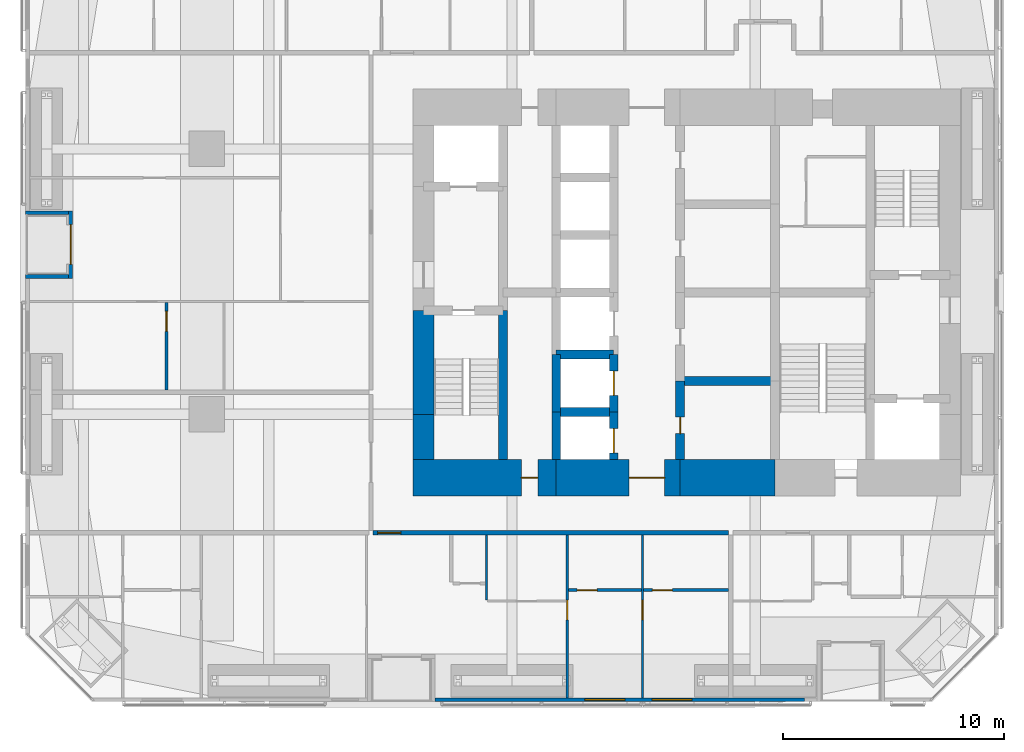
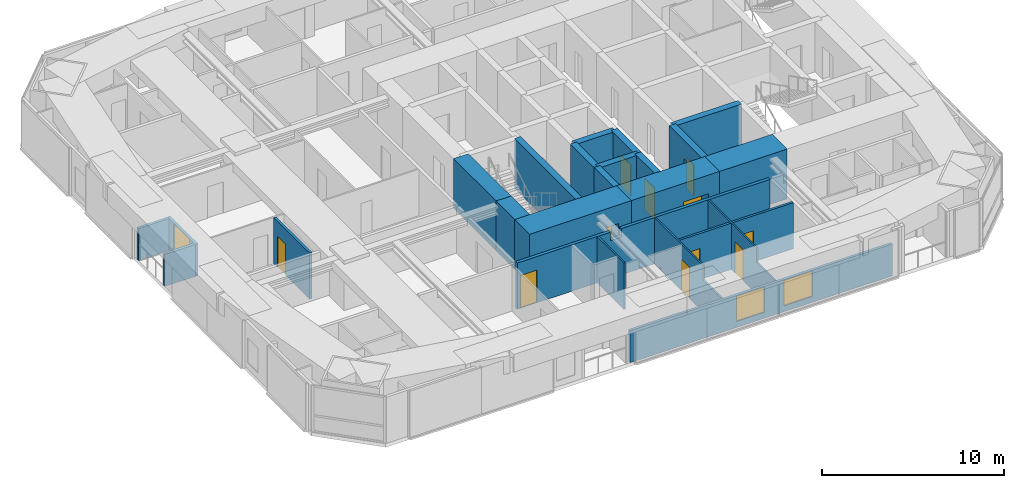
# One storey, part 16 of 22: 25 walls, 12 doors, 2 windows, 14 openings.
"""IFC4 building model written with IfcOpenShell, lengths in metres."""

import ifcopenshell
import ifcopenshell.guid

model = None  # the IFC model being written
_history = None  # IfcOwnerHistory: only IFC2X3 demands one
_inside = {}  # id of a spatial element -> (the spatial element, [elements in it])
_under = {}  # id of a project, library or spatial element -> (it, [spatial elements below it])
_declared = {}  # id of a project -> (the project, [libraries it declares])
_typed = {}  # id of a type object -> (the type object, [elements of that type])
_made_of = {}  # id of a material, layer set ... -> (it, [elements and type objects made of it])


def new_model(schema):
    """Start an empty IFC model of exactly this schema.

    Asked for "IFC4X3", IfcOpenShell would pick the latest addendum, in which some entities
    have other attributes; the version numbers below select the first issue.
    IFC2X3 requires an IfcOwnerHistory on every rooted entity: one is made here for all.
    """
    global model, _history
    if schema == "IFC4X3":
        model = ifcopenshell.file(schema_version=(4, 3, 0, 0))
    else:
        model = ifcopenshell.file(schema=schema)
    _inside.clear()
    _under.clear()
    _declared.clear()
    _typed.clear()
    _made_of.clear()
    _history = None
    if model.schema == "IFC2X3":
        org = make("IfcOrganization", Name="unknown")
        user = make(
            "IfcPersonAndOrganization",
            ThePerson=make("IfcPerson", FamilyName="unknown"),
            TheOrganization=org,
        )
        app = make(
            "IfcApplication",
            ApplicationDeveloper=org,
            Version="unknown",
            ApplicationFullName="unknown",
            ApplicationIdentifier="unknown",
        )
        _history = make(
            "IfcOwnerHistory",
            OwningUser=user,
            OwningApplication=app,
            ChangeAction="ADDED",
            CreationDate=0,
        )
    return model


def make(cls, **values):
    """One entity of the class cls with the attributes given. An attribute that is None is left unset."""
    return model.create_entity(
        cls, **{name: value for name, value in values.items() if value is not None}
    )


def rooted(cls, **values):
    """An entity with a GlobalId (a new one), such as an element, a storey or a relation."""
    return make(cls, GlobalId=ifcopenshell.guid.new(), OwnerHistory=_history, **values)


def si_unit(unit_type, name, prefix=None):
    """IfcSIUnit, for example si_unit("LENGTHUNIT", "METRE", prefix="MILLI")."""
    return make("IfcSIUnit", UnitType=unit_type, Prefix=prefix, Name=name)


def assignment(units):
    """IfcUnitAssignment: the units of a project."""
    return None if units is None else make("IfcUnitAssignment", Units=units)


def point(xyz):
    """IfcCartesianPoint."""
    return None if xyz is None else make("IfcCartesianPoint", Coordinates=xyz)


def direction(xyz):
    """IfcDirection."""
    return None if xyz is None else make("IfcDirection", DirectionRatios=xyz)


def frame(location, z_axis=None, x_axis=None):
    """IfcAxis2Placement3D, a coordinate frame: its origin and axes. An axis left out is left unset."""
    return make(
        "IfcAxis2Placement3D",
        Location=point(location),
        Axis=direction(z_axis),
        RefDirection=direction(x_axis),
    )


def frame_2d(location, x_axis=None):
    """IfcAxis2Placement2D, a coordinate frame in the plane: its origin and x axis."""
    return make(
        "IfcAxis2Placement2D", Location=point(location), RefDirection=direction(x_axis)
    )


def origin():
    """The frame at (0, 0, 0) with its axes left unset."""
    return frame((0.0, 0.0, 0.0))


def place(relative_to, where):
    """IfcLocalPlacement: puts the frame where relative to a parent placement (None: the world)."""
    return make(
        "IfcLocalPlacement", PlacementRelTo=relative_to, RelativePlacement=where
    )


def context(
    kind, dimensions, precision=None, world=None, true_north=None, identifier=None
):
    """IfcGeometricRepresentationContext, for example the 3D "Model" context."""
    return make(
        "IfcGeometricRepresentationContext",
        ContextIdentifier=identifier,
        ContextType=kind,
        CoordinateSpaceDimension=dimensions,
        Precision=precision,
        WorldCoordinateSystem=world,
        TrueNorth=true_north,
    )


def subcontext(parent, identifier, kind, view, scale=None):
    """IfcGeometricRepresentationSubContext, for example "Body" below "Model"."""
    return make(
        "IfcGeometricRepresentationSubContext",
        ContextIdentifier=identifier,
        ContextType=kind,
        ParentContext=parent,
        TargetScale=scale,
        TargetView=view,
    )


def project(units=None, contexts=None):
    """IfcProject with its units and contexts."""
    return rooted(
        "IfcProject",
        Name="project",
        RepresentationContexts=contexts,
        UnitsInContext=assignment(units),
    )


def spatial(cls, under=None, at=None, **own):
    """A site, building, storey or space (cls), placed at a placement, below another one or the project."""
    s = rooted(cls, ObjectPlacement=at, **own)
    if under is not None:
        _under.setdefault(under.id(), (under, []))[1].append(s)
    return s


def polyline(points):
    """IfcPolyline through the points."""
    return make("IfcPolyline", Points=[point(p) for p in points])


def profile(cls, at=None, kind="AREA", **sizes):
    """A parametric profile (cls). Its sizes go by their IFC names, for example OverallWidth=200.0."""
    return make(cls, ProfileType=kind, Position=at, **sizes)


def rectangle(**sizes):
    """IfcRectangleProfileDef."""
    return profile("IfcRectangleProfileDef", **sizes)


def outline(outer, holes=None, kind="AREA"):
    """IfcArbitraryClosedProfileDef: a profile drawn as a closed curve; with holes, ...WithVoids."""
    if holes is None:
        return make("IfcArbitraryClosedProfileDef", ProfileType=kind, OuterCurve=outer)
    return make(
        "IfcArbitraryProfileDefWithVoids",
        ProfileType=kind,
        OuterCurve=outer,
        InnerCurves=holes,
    )


def extrude(swept, where, along, depth):
    """IfcExtrudedAreaSolid: the profile swept, set in the frame where, extruded along a direction by depth."""
    return make(
        "IfcExtrudedAreaSolid",
        SweptArea=swept,
        Position=where,
        ExtrudedDirection=direction(along),
        Depth=depth,
    )


def shape(context_of_items, identifier, shape_type, items):
    """IfcShapeRepresentation: the items that make up one representation, for example the "Body"."""
    return make(
        "IfcShapeRepresentation",
        ContextOfItems=context_of_items,
        RepresentationIdentifier=identifier,
        RepresentationType=shape_type,
        Items=items,
    )


def material(Name=None, Category=None):
    """IfcMaterial."""
    return make("IfcMaterial", Name=Name, Category=Category)


def layer(
    of_material, thickness, ventilated=None, Name=None, Category=None, Priority=None
):
    """IfcMaterialLayer: one layer of a wall or slab, of a material (None: an air gap)."""
    return make(
        "IfcMaterialLayer",
        Material=of_material,
        LayerThickness=thickness,
        IsVentilated=ventilated,
        Name=Name,
        Category=Category,
        Priority=Priority,
    )


def layer_set(layers, Name=None):
    """IfcMaterialLayerSet."""
    return make("IfcMaterialLayerSet", MaterialLayers=layers, LayerSetName=Name)


def constituent(of_material, Name=None, Category=None, fraction=None):
    """IfcMaterialConstituent: one of the materials an element consists of."""
    return make(
        "IfcMaterialConstituent",
        Name=Name,
        Material=of_material,
        Fraction=fraction,
        Category=Category,
    )


def constituent_set(constituents=None, Name=None):
    """IfcMaterialConstituentSet."""
    return make(
        "IfcMaterialConstituentSet", Name=Name, MaterialConstituents=constituents
    )


def made_of(thing, what):
    """Note that an element or type object is made of a material, layer set ...; save() writes the relation."""
    if what is not None:
        _made_of.setdefault(what.id(), (what, []))[1].append(thing)
    return thing


def type_object(cls, material=None, **own):
    """A type object (cls), such as IfcWallType, which elements share."""
    return made_of(rooted(cls, **own), material)


def element(
    cls,
    number,
    at=None,
    inside=None,
    cuts=None,
    type_object=None,
    material=None,
    context=None,
    identifier="Body",
    shape_type=None,
    held_by="IfcProductDefinitionShape",
    body=None,
    shapes=None,
    **own,
):
    """One element of the class cls, such as IfcWall. Its Tag is "e" and its number.

    at: its placement. inside: the storey or other place that contains it. cuts: it is an
    opening in that element (IfcRelVoidsElement). A single representation is given by context,
    identifier, shape_type and body (its items); several are given by shapes. held_by: the class
    of the entity that holds the representations. save() writes the other relations.
    """
    e = rooted(cls, Tag="e%d" % number, ObjectPlacement=at, **own)
    if body is not None:
        shapes = [shape(context, identifier, shape_type, body)]
    if shapes is not None:
        e.Representation = make(held_by, Representations=shapes)
    if inside is not None:
        _inside.setdefault(inside.id(), (inside, []))[1].append(e)
    if cuts is not None:
        rooted(
            "IfcRelVoidsElement", RelatingBuildingElement=cuts, RelatedOpeningElement=e
        )
    if type_object is not None:
        _typed.setdefault(type_object.id(), (type_object, []))[1].append(e)
    return made_of(e, material)


def fill(opening, filler):
    """IfcRelFillsElement: the door or window that sits in an opening."""
    return rooted(
        "IfcRelFillsElement",
        RelatingOpeningElement=opening,
        RelatedBuildingElement=filler,
    )


def aggregate(whole, parts):
    """IfcRelAggregates: a whole, such as a stair, and the parts it consists of."""
    return rooted("IfcRelAggregates", RelatingObject=whole, RelatedObjects=parts)


def save(model, path):
    """Write the relations noted so far, then the file.

    IfcRelAggregates (storeys below a building ...), IfcRelContainedInSpatialStructure (elements
    in a storey), IfcRelDefinesByType, IfcRelAssociatesMaterial and IfcRelDeclares: one each for
    every whole, place, type object, material and project.
    """
    for whole, parts in _under.values():
        aggregate(whole, parts)
    for where, things in _inside.values():
        rooted(
            "IfcRelContainedInSpatialStructure",
            RelatedElements=things,
            RelatingStructure=where,
        )
    for kind, things in _typed.values():
        rooted("IfcRelDefinesByType", RelatedObjects=things, RelatingType=kind)
    for what, things in _made_of.values():
        rooted("IfcRelAssociatesMaterial", RelatedObjects=things, RelatingMaterial=what)
    for by, libraries in _declared.values():
        rooted("IfcRelDeclares", RelatingContext=by, RelatedDefinitions=libraries)
    model.write(path)


model = new_model("IFC4")

# Units and contexts
model_context = context("Model", 3, precision=1e-05, world=origin(), true_north=direction((0.0, 1.0)))
body_context = subcontext(model_context, "Body", "Model", "MODEL_VIEW")
ifc_project = project(units=[si_unit("LENGTHUNIT", "METRE"), si_unit("AREAUNIT", "SQUARE_METRE"), si_unit("VOLUMEUNIT", "CUBIC_METRE"), si_unit("PLANEANGLEUNIT", "RADIAN"), si_unit("MASSUNIT", "GRAM", prefix="KILO")], contexts=[model_context])

# Site, building, storey
site_placement = place(None, origin())
site = spatial("IfcSite", under=ifc_project, at=site_placement, CompositionType="ELEMENT")
building_placement = place(site_placement, origin())
building = spatial("IfcBuilding", under=site, at=building_placement, Name="Jalousie Tower", CompositionType="ELEMENT")
storey_placement = place(building_placement, frame((0.0, 0.0, 67.89990234375)))
storey = spatial("IfcBuildingStorey", under=building, at=storey_placement, Name="L18", CompositionType="ELEMENT", Elevation=67.89990234375)

# Wall, opening, door
ifc_material_1 = material(Name="Concrete block ASTM C90", Category="concrete")
ifc_constituent_1 = constituent(ifc_material_1, Name="Body")
ifc_material_2 = material(Name="Render")
ifc_constituent_2 = constituent(ifc_material_2, Name="Finish")
ifc_constituent_set_1 = constituent_set(constituents=[ifc_constituent_1, ifc_constituent_2])
wall_type_1 = type_object("IfcWallType", Name="BATHROOM WALL 150", PredefinedType="PLUMBINGWALL", material=ifc_constituent_set_1)
wall_1_placement = place(storey_placement, frame((26.550048828125, 5.050048828125, 0.0), z_axis=(0.0, 0.0, 1.0), x_axis=(1.0, 0.0, 0.0)))
wall_1 = element("IfcWall", 1, at=wall_1_placement, inside=storey, type_object=wall_type_1, Name="Bathroom Wall 150 L18", PredefinedType="PLUMBINGWALL", context=body_context, shape_type="SweptSolid", body=[
    extrude(rectangle(XDim=3.300048828125, YDim=0.14990234375, at=frame_2d((1.64990234375, 0.0))), origin(), (0.0, 0.0, 1.0), 3.110107421875),
])
opening_1_placement = place(wall_1_placement, frame((0.39990234375, 0.0, 0.0)))
opening_1 = element("IfcOpeningElement", 2, at=opening_1_placement, cuts=wall_1, Name="Opening D3", PredefinedType="OPENING", context=body_context, shape_type="SweptSolid", body=[
    extrude(rectangle(XDim=0.89990234375, YDim=2.10009765625, at=frame_2d((0.449951171875, 1.050048828125))), frame((0.0, 0.0849609375, 0.0), z_axis=(0.0, -1.0, 0.0), x_axis=(1.0, 0.0, 0.0)), (0.0, 0.0, 1.0), 0.169921875),
])
ifc_material_3 = material(Name="Timber door", Category="wood")
door_type_1 = type_object("IfcDoorType", Name="BATHROOM DOOR 900", OperationType="SINGLE_SWING_LEFT", PredefinedType="DOOR", material=ifc_material_3)
door_1_placement = place(opening_1_placement, origin())
door_1 = element("IfcDoor", 3, at=door_1_placement, inside=storey, type_object=door_type_1, Name="Apartment 1801 bedroom 3 bathroom door", OperationType="SINGLE_SWING_LEFT", OverallHeight=2.10009765625, OverallWidth=0.89990234375, PredefinedType="DOOR", context=body_context, shape_type="SweptSolid", body=[
    extrude(rectangle(XDim=0.89990234375, YDim=2.10009765625, at=frame_2d((0.449951171875, 1.050048828125))), frame((0.0, 0.02490234375, 0.0), z_axis=(0.0, -1.0, 0.0), x_axis=(1.0, 0.0, 0.0)), (0.0, 0.0, 1.0), 0.050048828125),
])
fill(opening_1, door_1)

wall_2_placement = place(storey_placement, frame((29.949951171875, 5.050048828125, 0.0), z_axis=(0.0, 0.0, 1.0), x_axis=(1.0, 0.0, 0.0)))
wall_2 = element("IfcWall", 4, at=wall_2_placement, inside=storey, type_object=wall_type_1, Name="Bathroom Wall 150 L18", PredefinedType="PLUMBINGWALL", context=body_context, shape_type="SweptSolid", body=[
    extrude(rectangle(XDim=3.85009765625, YDim=0.14990234375, at=frame_2d((1.925048828125, 0.0))), origin(), (0.0, 0.0, 1.0), 3.110107421875),
])
opening_2_placement = place(wall_2_placement, frame((0.39990234375, 0.0, 0.0)))
opening_2 = element("IfcOpeningElement", 5, at=opening_2_placement, cuts=wall_2, Name="Opening D3", PredefinedType="OPENING", context=body_context, shape_type="SweptSolid", body=[
    extrude(rectangle(XDim=0.89990234375, YDim=2.10009765625, at=frame_2d((0.449951171875, 1.050048828125))), frame((0.0, 0.0849609375, 0.0), z_axis=(0.0, -1.0, 0.0), x_axis=(1.0, 0.0, 0.0)), (0.0, 0.0, 1.0), 0.169921875),
])
door_2_placement = place(opening_2_placement, origin())
door_2 = element("IfcDoor", 6, at=door_2_placement, inside=storey, type_object=door_type_1, Name="Apartment 1801 bedroom 4 bathroom door", OperationType="SINGLE_SWING_LEFT", OverallHeight=2.10009765625, OverallWidth=0.89990234375, PredefinedType="DOOR", context=body_context, shape_type="SweptSolid", body=[
    extrude(rectangle(XDim=0.89990234375, YDim=2.10009765625, at=frame_2d((0.449951171875, 1.050048828125))), frame((0.0, 0.02490234375, 0.0), z_axis=(0.0, -1.0, 0.0), x_axis=(1.0, 0.0, 0.0)), (0.0, 0.0, 1.0), 0.050048828125),
])
fill(opening_2, door_2)

wall_3_placement = place(storey_placement, frame((8.375, 14.10009765625, 0.0), z_axis=(0.0, 0.0, 1.0), x_axis=(0.0, 1.0, 0.0)))
wall_3 = element("IfcWall", 7, at=wall_3_placement, inside=storey, type_object=wall_type_1, Name="Bathroom Wall 150 L18", PredefinedType="PLUMBINGWALL", context=body_context, shape_type="SweptSolid", body=[
    extrude(rectangle(XDim=3.949951171875, YDim=0.14990234375, at=frame_2d((1.97509765625, 0.0))), origin(), (0.0, 0.0, 1.0), 3.110107421875),
])
opening_3_placement = place(wall_3_placement, frame((2.64990234375, 0.0, 0.0)))
opening_3 = element("IfcOpeningElement", 8, at=opening_3_placement, cuts=wall_3, Name="Opening D3", PredefinedType="OPENING", context=body_context, shape_type="SweptSolid", body=[
    extrude(rectangle(XDim=0.89990234375, YDim=2.10009765625, at=frame_2d((0.449951171875, 1.050048828125))), frame((0.0, 0.0849609375, 0.0), z_axis=(0.0, -1.0, 0.0), x_axis=(1.0, 0.0, 0.0)), (0.0, 0.0, 1.0), 0.169921875),
])
door_3_placement = place(opening_3_placement, frame((0.89990234375, 0.0, 0.0), z_axis=(0.0, 0.0, 1.0), x_axis=(-1.0, 0.0, 0.0)))
door_3 = element("IfcDoor", 9, at=door_3_placement, inside=storey, type_object=door_type_1, Name="Apartment 1805 bedroom 1 bathroom door", OperationType="SINGLE_SWING_LEFT", OverallHeight=2.10009765625, OverallWidth=0.89990234375, PredefinedType="DOOR", context=body_context, shape_type="SweptSolid", body=[
    extrude(rectangle(XDim=0.89990234375, YDim=2.10009765625, at=frame_2d((0.449951171875, 1.050048828125))), frame((0.0, 0.02490234375, 0.0), z_axis=(0.0, -1.0, 0.0), x_axis=(1.0, 0.0, 0.0)), (0.0, 0.0, 1.0), 0.050048828125),
])
fill(opening_3, door_3)

ifc_material_4 = material(Name="Concrete f'c 120 MPa", Category="concrete")
ifc_layer_1 = layer(ifc_material_4, 1.64990234375)
ifc_layer_set_1 = layer_set([ifc_layer_1], Name="Concrete f'c 120 MPa")
wall_type_2 = type_object("IfcWallType", Name="CORE WALL 1650", PredefinedType="SHEAR", material=ifc_layer_set_1)
wall_4_placement = place(storey_placement, frame((19.52490234375, 10.125, 0.0), z_axis=(0.0, 0.0, 1.0), x_axis=(1.0, 0.0, 0.0)))
wall_4 = element("IfcWall", 10, at=wall_4_placement, inside=storey, type_object=wall_type_2, Name="Core wall SA L18", PredefinedType="SHEAR", context=body_context, shape_type="SweptSolid", body=[
    extrude(rectangle(XDim=6.47509765625, YDim=1.64990234375, at=frame_2d((3.237548828125, 0.0))), origin(), (0.0, 0.0, 1.0), 3.35009765625),
])
opening_4_placement = place(wall_4_placement, frame((4.89990234375, 0.0, 0.0)))
opening_4 = element("IfcOpeningElement", 11, at=opening_4_placement, cuts=wall_4, Name="Opening D16", PredefinedType="OPENING", context=body_context, shape_type="SweptSolid", body=[
    extrude(rectangle(XDim=0.75, YDim=2.10009765625, at=frame_2d((0.375, 1.050048828125))), frame((0.0, 0.8349609375, 0.0), z_axis=(0.0, -1.0, 0.0), x_axis=(1.0, 0.0, 0.0)), (0.0, 0.0, 1.0), 1.669921875),
])
ifc_material_5 = material(Name="Steel fire door", Category="steel")
door_type_2 = type_object("IfcDoorType", Name="RISER DOOR 750", OperationType="SINGLE_SWING_LEFT", PredefinedType="DOOR", material=ifc_material_5)
door_4_placement = place(opening_4_placement, origin())
door_4 = element("IfcDoor", 12, at=door_4_placement, inside=storey, type_object=door_type_2, Name="South riser door", OperationType="SINGLE_SWING_LEFT", OverallHeight=2.10009765625, OverallWidth=0.75, PredefinedType="DOOR", context=body_context, shape_type="SweptSolid", body=[
    extrude(rectangle(XDim=0.75, YDim=2.10009765625, at=frame_2d((0.375, 1.050048828125))), frame((0.0, 0.02490234375, 0.0), z_axis=(0.0, -1.0, 0.0), x_axis=(1.0, 0.0, 0.0)), (0.0, 0.0, 1.0), 0.050048828125),
])
fill(opening_4, door_4)

wall_5_placement = place(storey_placement, frame((26.0, 10.125, 0.0), z_axis=(0.0, 0.0, 1.0), x_axis=(1.0, 0.0, 0.0)))
wall_5 = element("IfcWall", 13, at=wall_5_placement, inside=storey, type_object=wall_type_2, Name="Core wall SB L18", PredefinedType="SHEAR", context=body_context, shape_type="SweptSolid", body=[
    extrude(rectangle(XDim=5.60009765625, YDim=1.64990234375, at=frame_2d((2.800048828125, 0.0))), origin(), (0.0, 0.0, 1.0), 3.35009765625),
])
opening_5_placement = place(wall_5_placement, frame((3.300048828125, 0.0, 0.0)))
opening_5 = element("IfcOpeningElement", 14, at=opening_5_placement, cuts=wall_5, Name="Opening D15", PredefinedType="OPENING", context=body_context, shape_type="SweptSolid", body=[
    extrude(rectangle(XDim=1.60009765625, YDim=2.10009765625, at=frame_2d((0.800048828125, 1.050048828125))), frame((0.0, 0.8349609375, 0.0), z_axis=(0.0, -1.0, 0.0), x_axis=(1.0, 0.0, 0.0)), (0.0, 0.0, 1.0), 1.669921875),
])
ifc_material_6 = material(Name="Steel fire door", Category="steel")
door_type_3 = type_object("IfcDoorType", Name="LIFT LOBBY DOOR 1600", OperationType="DOUBLE_DOOR_SINGLE_SWING", PredefinedType="DOOR", material=ifc_material_6)
door_5_placement = place(opening_5_placement, origin())
door_5 = element("IfcDoor", 15, at=door_5_placement, inside=storey, type_object=door_type_3, Name="Lift lobby south door", OperationType="DOUBLE_DOOR_SINGLE_SWING", OverallHeight=2.10009765625, OverallWidth=1.60009765625, PredefinedType="DOOR", context=body_context, shape_type="SweptSolid", body=[
    extrude(rectangle(XDim=1.60009765625, YDim=2.10009765625, at=frame_2d((0.800048828125, 1.050048828125))), frame((0.0, 0.02490234375, 0.0), z_axis=(0.0, -1.0, 0.0), x_axis=(1.0, 0.0, 0.0)), (0.0, 0.0, 1.0), 0.050048828125),
])
fill(opening_5, door_5)

# Walls
wall_6_placement = place(storey_placement, frame((31.60009765625, 10.125, 0.0), z_axis=(0.0, 0.0, 1.0), x_axis=(1.0, 0.0, 0.0)))
element("IfcWall", 16, at=wall_6_placement, inside=storey, type_object=wall_type_2, Name="Core wall SC L18", PredefinedType="SHEAR", context=body_context, shape_type="SweptSolid", body=[
    extrude(rectangle(XDim=4.2998046875, YDim=1.64990234375, at=frame_2d((2.14990234375, 0.0))), origin(), (0.0, 0.0, 1.0), 3.35009765625),
])
ifc_material_7 = material(Name="Concrete f'c 120 MPa", Category="concrete")
ifc_layer_2 = layer(ifc_material_7, 0.39990234375)
ifc_layer_set_2 = layer_set([ifc_layer_2], Name="Concrete f'c 120 MPa")
wall_type_3 = type_object("IfcWallType", Name="CORE WALL 400", PredefinedType="SHEAR", material=ifc_layer_set_2)
wall_7_placement = place(storey_placement, frame((23.60009765625, 10.949951171875, 0.0), z_axis=(0.0, 0.0, 1.0), x_axis=(0.0, 1.0, 0.0)))
element("IfcWall", 17, at=wall_7_placement, inside=storey, type_object=wall_type_3, Name="Core wall X23.6A L18", PredefinedType="SHEAR", context=body_context, shape_type="SweptSolid", body=[
    extrude(rectangle(XDim=6.75, YDim=0.39990234375, at=frame_2d((3.375, 0.0))), origin(), (0.0, 0.0, 1.0), 3.35009765625),
])
wall_8_placement = place(storey_placement, frame((26.0, 10.949951171875, 0.0), z_axis=(0.0, 0.0, 1.0), x_axis=(0.0, 1.0, 0.0)))
element("IfcWall", 18, at=wall_8_placement, inside=storey, type_object=wall_type_3, Name="Core wall X26A L18", PredefinedType="SHEAR", context=body_context, shape_type="SweptSolid", body=[
    extrude(rectangle(XDim=2.150146484375, YDim=0.39990234375, at=frame_2d((1.0751953125, 0.0))), origin(), (0.0, 0.0, 1.0), 3.35009765625),
])
wall_9_placement = place(storey_placement, frame((26.0, 13.10009765625, 0.0), z_axis=(0.0, 0.0, 1.0), x_axis=(0.0, 1.0, 0.0)))
element("IfcWall", 19, at=wall_9_placement, inside=storey, type_object=wall_type_3, Name="Core wall X26B L18", PredefinedType="SHEAR", context=body_context, shape_type="SweptSolid", body=[
    extrude(rectangle(XDim=2.599853515625, YDim=0.39990234375, at=frame_2d((1.2998046875, 0.0))), origin(), (0.0, 0.0, 1.0), 3.35009765625),
])

# Wall, opening, door
wall_10_placement = place(storey_placement, frame((28.60009765625, 10.949951171875, 0.0), z_axis=(0.0, 0.0, 1.0), x_axis=(0.0, 1.0, 0.0)))
wall_10 = element("IfcWall", 20, at=wall_10_placement, inside=storey, type_object=wall_type_3, Name="Core wall X28.6A L18", PredefinedType="SHEAR", context=body_context, shape_type="SweptSolid", body=[
    extrude(rectangle(XDim=2.150146484375, YDim=0.39990234375, at=frame_2d((1.0751953125, 0.0))), origin(), (0.0, 0.0, 1.0), 3.35009765625),
])
opening_6_placement = place(wall_10_placement, frame((0.300048828125, 0.0, 0.0)))
opening_6 = element("IfcOpeningElement", 21, at=opening_6_placement, cuts=wall_10, Name="Opening LD1", PredefinedType="OPENING", context=body_context, shape_type="SweptSolid", body=[
    extrude(rectangle(XDim=1.10009765625, YDim=2.10009765625, at=frame_2d((0.550048828125, 1.050048828125))), frame((0.0, 0.2099609375, 0.0), z_axis=(0.0, -1.0, 0.0), x_axis=(1.0, 0.0, 0.0)), (0.0, 0.0, 1.0), 0.419921875),
])
ifc_material_8 = material(Name="Steel lift landing door", Category="steel")
door_type_4 = type_object("IfcDoorType", Name="LIFT LANDING DOOR 1100", OperationType="SLIDING_TO_LEFT", PredefinedType="DOOR", material=ifc_material_8)
door_6_placement = place(opening_6_placement, origin())
door_6 = element("IfcDoor", 22, at=door_6_placement, inside=storey, type_object=door_type_4, Name="Lift P1 landing door", OperationType="SLIDING_TO_LEFT", OverallHeight=2.10009765625, OverallWidth=1.10009765625, PredefinedType="DOOR", context=body_context, shape_type="SweptSolid", body=[
    extrude(rectangle(XDim=1.10009765625, YDim=2.10009765625, at=frame_2d((0.550048828125, 1.050048828125))), frame((0.0, 0.02490234375, 0.0), z_axis=(0.0, -1.0, 0.0), x_axis=(1.0, 0.0, 0.0)), (0.0, 0.0, 1.0), 0.050048828125),
])
fill(opening_6, door_6)

wall_11_placement = place(storey_placement, frame((28.60009765625, 13.10009765625, 0.0), z_axis=(0.0, 0.0, 1.0), x_axis=(0.0, 1.0, 0.0)))
wall_11 = element("IfcWall", 23, at=wall_11_placement, inside=storey, type_object=wall_type_3, Name="Core wall X28.6B L18", PredefinedType="SHEAR", context=body_context, shape_type="SweptSolid", body=[
    extrude(rectangle(XDim=2.599853515625, YDim=0.39990234375, at=frame_2d((1.2998046875, 0.0))), origin(), (0.0, 0.0, 1.0), 3.35009765625),
])
opening_7_placement = place(wall_11_placement, frame((0.75, 0.0, 0.0)))
opening_7 = element("IfcOpeningElement", 24, at=opening_7_placement, cuts=wall_11, Name="Opening LD1", PredefinedType="OPENING", context=body_context, shape_type="SweptSolid", body=[
    extrude(rectangle(XDim=1.10009765625, YDim=2.10009765625, at=frame_2d((0.550048828125, 1.050048828125))), frame((0.0, 0.2099609375, 0.0), z_axis=(0.0, -1.0, 0.0), x_axis=(1.0, 0.0, 0.0)), (0.0, 0.0, 1.0), 0.419921875),
])
door_7_placement = place(opening_7_placement, origin())
door_7 = element("IfcDoor", 25, at=door_7_placement, inside=storey, type_object=door_type_4, Name="Lift P2 landing door", OperationType="SLIDING_TO_LEFT", OverallHeight=2.10009765625, OverallWidth=1.10009765625, PredefinedType="DOOR", context=body_context, shape_type="SweptSolid", body=[
    extrude(rectangle(XDim=1.10009765625, YDim=2.10009765625, at=frame_2d((0.550048828125, 1.050048828125))), frame((0.0, 0.02490234375, 0.0), z_axis=(0.0, -1.0, 0.0), x_axis=(1.0, 0.0, 0.0)), (0.0, 0.0, 1.0), 0.050048828125),
])
fill(opening_7, door_7)

wall_12_placement = place(storey_placement, frame((31.60009765625, 10.949951171875, 0.0), z_axis=(0.0, 0.0, 1.0), x_axis=(0.0, 1.0, 0.0)))
wall_12 = element("IfcWall", 26, at=wall_12_placement, inside=storey, type_object=wall_type_3, Name="Core wall X31.6A L18", PredefinedType="SHEAR", context=body_context, shape_type="SweptSolid", body=[
    extrude(rectangle(XDim=3.550048828125, YDim=0.39990234375, at=frame_2d((1.77490234375, 0.0))), origin(), (0.0, 0.0, 1.0), 3.35009765625),
])
opening_8_placement = place(wall_12_placement, frame((1.175048828125, 0.0, 0.0)))
opening_8 = element("IfcOpeningElement", 27, at=opening_8_placement, cuts=wall_12, Name="Opening D16", PredefinedType="OPENING", context=body_context, shape_type="SweptSolid", body=[
    extrude(rectangle(XDim=0.75, YDim=2.10009765625, at=frame_2d((0.375, 1.050048828125))), frame((0.0, 0.2099609375, 0.0), z_axis=(0.0, -1.0, 0.0), x_axis=(1.0, 0.0, 0.0)), (0.0, 0.0, 1.0), 0.419921875),
])
door_8_placement = place(opening_8_placement, frame((0.75, 0.0, 0.0), z_axis=(0.0, 0.0, 1.0), x_axis=(-1.0, 0.0, 0.0)))
door_8 = element("IfcDoor", 28, at=door_8_placement, inside=storey, type_object=door_type_2, Name="Refuse Room door", OperationType="SINGLE_SWING_RIGHT", OverallHeight=2.10009765625, OverallWidth=0.75, PredefinedType="DOOR", context=body_context, shape_type="SweptSolid", body=[
    extrude(rectangle(XDim=0.75, YDim=2.10009765625, at=frame_2d((0.375, 1.050048828125))), frame((0.0, 0.02490234375, 0.0), z_axis=(0.0, -1.0, 0.0), x_axis=(1.0, 0.0, 0.0)), (0.0, 0.0, 1.0), 0.050048828125),
])
fill(opening_8, door_8)

# Walls
for number, where, z_axis, x_axis, name in (
    (29, (26.0, 13.10009765625, 0.0), (0.0, 0.0, 1.0), (1.0, 0.0, 0.0), "Core wall Y26-13.1 L18"),
    (30, (26.0, 15.699951171875, 0.0), (0.0, 0.0, 1.0), (1.0, 0.0, 0.0), "Core wall Y26-15.7 L18"),
):
    element("IfcWall", number, at=place(storey_placement, frame(where, z_axis=z_axis, x_axis=x_axis)), inside=storey, type_object=wall_type_3, Name=name, PredefinedType="SHEAR", context=body_context, shape_type="SweptSolid", body=[
        extrude(rectangle(XDim=2.60009765625, YDim=0.39990234375, at=frame_2d((1.300048828125, 0.0))), origin(), (0.0, 0.0, 1.0), 3.35009765625),
    ])
wall_13_placement = place(storey_placement, frame((31.60009765625, 14.5, 0.0), z_axis=(0.0, 0.0, 1.0), x_axis=(1.0, 0.0, 0.0)))
element("IfcWall", 31, at=wall_13_placement, inside=storey, type_object=wall_type_3, Name="Core wall Y31.6-14.5 L18", PredefinedType="SHEAR", context=body_context, shape_type="SweptSolid", body=[
    extrude(rectangle(XDim=4.2998046875, YDim=0.39990234375, at=frame_2d((2.14990234375, 0.0))), origin(), (0.0, 0.0, 1.0), 3.35009765625),
])
ifc_material_9 = material(Name="Concrete f'c 120 MPa", Category="concrete")
ifc_layer_3 = layer(ifc_material_9, 0.949951171875)
ifc_layer_set_3 = layer_set([ifc_layer_3], Name="Concrete f'c 120 MPa")
wall_type_4 = type_object("IfcWallType", Name="CORE WALL 950", PredefinedType="SHEAR", material=ifc_layer_set_3)
wall_14_placement = place(storey_placement, frame((20.0, 17.699951171875, 0.0), z_axis=(0.0, 0.0, 1.0), x_axis=(0.0, -1.0, 0.0)))
element("IfcWall", 32, at=wall_14_placement, inside=storey, type_object=wall_type_4, Name="Core wall WC L18", PredefinedType="SHEAR", context=body_context, shape_type="SweptSolid", body=[
    extrude(rectangle(XDim=4.699951171875, YDim=0.949951171875, at=frame_2d((2.35009765625, 0.0))), origin(), (0.0, 0.0, 1.0), 3.35009765625),
])
wall_15_placement = place(storey_placement, frame((20.0, 13.0, 0.0), z_axis=(0.0, 0.0, 1.0), x_axis=(0.0, -1.0, 0.0)))
element("IfcWall", 33, at=wall_15_placement, inside=storey, type_object=wall_type_4, Name="Core wall WD L18", PredefinedType="SHEAR", context=body_context, shape_type="SweptSolid", body=[
    extrude(rectangle(XDim=2.050048828125, YDim=0.949951171875, at=frame_2d((1.02490234375, 0.0))), origin(), (0.0, 0.0, 1.0), 3.35009765625),
])

# Wall, opening, door
ifc_material_10 = material(Name="Concrete block ASTM C90", Category="concrete")
ifc_constituent_3 = constituent(ifc_material_10, Name="Body")
ifc_material_11 = material(Name="Render")
ifc_constituent_4 = constituent(ifc_material_11, Name="Finish")
ifc_constituent_set_2 = constituent_set(constituents=[ifc_constituent_3, ifc_constituent_4])
wall_type_5 = type_object("IfcWallType", Name="CORRIDOR WALL 200", PredefinedType="PARTITIONING", material=ifc_constituent_set_2)
wall_16_placement = place(storey_placement, frame((17.72509765625, 7.64990234375, 0.0), z_axis=(0.0, 0.0, 1.0), x_axis=(1.0, 0.0, 0.0)))
wall_16 = element("IfcWall", 34, at=wall_16_placement, inside=storey, type_object=wall_type_5, Name="Corridor Wall 200 L18", PredefinedType="PARTITIONING", context=body_context, shape_type="SweptSolid", body=[
    extrude(outline(polyline([(0.0, 0.0), (16.074951171875, 0.0), (16.074951171875, 3.110107421875), (6.6123046875, 3.110107421875), (6.6123046875, 2.541015625), (5.9375, 2.541015625), (5.9375, 3.110107421875), (0.0, 3.110107421875), (0.0, 0.0)])), frame((0.0, 0.10009765625, 0.0), z_axis=(0.0, -1.0, 0.0), x_axis=(1.0, 0.0, 0.0)), (0.0, 0.0, 1.0), 0.199951171875),
])
opening_9_placement = place(wall_16_placement, frame((0.199951171875, 0.0, 0.0)))
opening_9 = element("IfcOpeningElement", 35, at=opening_9_placement, cuts=wall_16, Name="Opening D1", PredefinedType="OPENING", context=body_context, shape_type="SweptSolid", body=[
    extrude(rectangle(XDim=1.050048828125, YDim=2.199951171875, at=frame_2d((0.52490234375, 1.10009765625))), frame((0.0, 0.10986328125, 0.0), z_axis=(0.0, -1.0, 0.0), x_axis=(1.0, 0.0, 0.0)), (0.0, 0.0, 1.0), 0.219970703125),
])
ifc_material_12 = material(Name="Timber fire door", Category="wood")
door_type_5 = type_object("IfcDoorType", Name="APARTMENT ENTRANCE DOOR 1050", OperationType="SINGLE_SWING_LEFT", PredefinedType="DOOR", material=ifc_material_12)
door_9_placement = place(opening_9_placement, frame((1.050048828125, 0.0, 0.0), z_axis=(0.0, 0.0, 1.0), x_axis=(-1.0, 0.0, 0.0)))
door_9 = element("IfcDoor", 36, at=door_9_placement, inside=storey, type_object=door_type_5, Name="Apartment 1801 entrance", OperationType="SINGLE_SWING_RIGHT", OverallHeight=2.199951171875, OverallWidth=1.050048828125, PredefinedType="DOOR", context=body_context, shape_type="SweptSolid", body=[
    extrude(rectangle(XDim=1.050048828125, YDim=2.199951171875, at=frame_2d((0.52490234375, 1.10009765625))), frame((0.0, 0.02490234375, 0.0), z_axis=(0.0, -1.0, 0.0), x_axis=(1.0, 0.0, 0.0)), (0.0, 0.0, 1.0), 0.050048828125),
])
fill(opening_9, door_9)

# Wall, openings, windows
ifc_material_13 = material(Name="Concrete f'c 40 MPa", Category="concrete")
ifc_constituent_5 = constituent(ifc_material_13, Name="Body")
ifc_material_14 = material(Name="Render, pastel coral")
ifc_constituent_6 = constituent(ifc_material_14, Name="Finish")
ifc_constituent_set_3 = constituent_set(constituents=[ifc_constituent_5, ifc_constituent_6])
wall_type_6 = type_object("IfcWallType", Name="EXTERNAL WALL 175 CORAL RENDER", PredefinedType="SOLIDWALL", material=ifc_constituent_set_3)
wall_17_placement = place(storey_placement, frame((20.52490234375, 0.08740234375, 0.0), z_axis=(0.0, 0.0, 1.0), x_axis=(1.0, 0.0, 0.0)))
wall_17 = element("IfcWall", 37, at=wall_17_placement, inside=storey, type_object=wall_type_6, Name="External Wall 175 Coral Render L18-A", PredefinedType="SOLIDWALL", context=body_context, shape_type="SweptSolid", body=[
    extrude(rectangle(XDim=16.709716796875, YDim=0.175048828125, at=frame_2d((8.35498046875, 0.0))), origin(), (0.0, 0.0, 1.0), 2.150146484375),
])
opening_10_placement = place(wall_17_placement, frame((6.77490234375, 0.0, 0.39990234375)))
opening_10 = element("IfcOpeningElement", 38, at=opening_10_placement, cuts=wall_17, Name="Opening W-BED170", PredefinedType="OPENING", context=body_context, shape_type="SweptSolid", body=[
    extrude(rectangle(XDim=1.800048828125, YDim=1.699951171875, at=frame_2d((0.89990234375, 0.85009765625))), frame((0.0, 0.097412109375, 0.0), z_axis=(0.0, -1.0, 0.0), x_axis=(1.0, 0.0, 0.0)), (0.0, 0.0, 1.0), 0.195068359375),
])
opening_11_placement = place(wall_17_placement, frame((9.81005859375, 0.0, 0.39990234375)))
opening_11 = element("IfcOpeningElement", 39, at=opening_11_placement, cuts=wall_17, Name="Opening W-BED170", PredefinedType="OPENING", context=body_context, shape_type="SweptSolid", body=[
    extrude(rectangle(XDim=1.800048828125, YDim=1.699951171875, at=frame_2d((0.89990234375, 0.85009765625))), frame((0.0, 0.097412109375, 0.0), z_axis=(0.0, -1.0, 0.0), x_axis=(1.0, 0.0, 0.0)), (0.0, 0.0, 1.0), 0.195068359375),
])
ifc_material_15 = material(Name="Aluminium frame, impact-rated glazing", Category="aluminium")
window_type = type_object("IfcWindowType", Name="WINDOW BED 1800x1700", PartitioningType="SINGLE_PANEL", PredefinedType="WINDOW", material=ifc_material_15)
window_1_placement = place(opening_10_placement, origin())
window_1 = element("IfcWindow", 40, at=window_1_placement, inside=storey, type_object=window_type, Name="Apartment 1801 bedroom 3 window", OverallHeight=1.699951171875, OverallWidth=1.800048828125, PartitioningType="SINGLE_PANEL", PredefinedType="WINDOW", context=body_context, shape_type="SweptSolid", body=[
    extrude(rectangle(XDim=1.800048828125, YDim=1.699951171875, at=frame_2d((0.89990234375, 0.85009765625))), frame((0.0, 0.030029296875, 0.0), z_axis=(0.0, -1.0, 0.0), x_axis=(1.0, 0.0, 0.0)), (0.0, 0.0, 1.0), 0.06005859375),
])
fill(opening_10, window_1)
window_2_placement = place(opening_11_placement, origin())
window_2 = element("IfcWindow", 41, at=window_2_placement, inside=storey, type_object=window_type, Name="Apartment 1801 bedroom 4 window", OverallHeight=1.699951171875, OverallWidth=1.800048828125, PartitioningType="SINGLE_PANEL", PredefinedType="WINDOW", context=body_context, shape_type="SweptSolid", body=[
    extrude(rectangle(XDim=1.800048828125, YDim=1.699951171875, at=frame_2d((0.89990234375, 0.85009765625))), frame((0.0, 0.030029296875, 0.0), z_axis=(0.0, -1.0, 0.0), x_axis=(1.0, 0.0, 0.0)), (0.0, 0.0, 1.0), 0.06005859375),
])
fill(opening_11, window_2)

# Wall, opening, door
wall_18_placement = place(storey_placement, frame((4.03759765625, 22.199951171875, 0.0), z_axis=(0.0, 0.0, 1.0), x_axis=(0.0, -1.0, 0.0)))
wall_18 = element("IfcWall", 42, at=wall_18_placement, inside=storey, type_object=wall_type_6, Name="External Wall 175 Coral Render L18", PredefinedType="SOLIDWALL", context=body_context, shape_type="SweptSolid", body=[
    extrude(rectangle(XDim=3.050048828125, YDim=0.175048828125, at=frame_2d((1.52490234375, 0.0))), origin(), (0.0, 0.0, 1.0), 2.150146484375),
])
opening_12_placement = place(wall_18_placement, frame((0.625, 0.0, 0.0)))
opening_12 = element("IfcOpeningElement", 43, at=opening_12_placement, cuts=wall_18, Name="Opening D-BAL21", PredefinedType="OPENING", context=body_context, shape_type="SweptSolid", body=[
    extrude(rectangle(XDim=1.800048828125, YDim=2.10009765625, at=frame_2d((0.89990234375, 1.050048828125))), frame((0.0, 0.097412109375, 0.0), z_axis=(0.0, -1.0, 0.0), x_axis=(1.0, 0.0, 0.0)), (0.0, 0.0, 1.0), 0.195068359375),
])
ifc_material_16 = material(Name="Aluminium frame, impact-rated glazing", Category="aluminium")
door_type_6 = type_object("IfcDoorType", Name="BALCONY DOOR 1800x2100", OperationType="SLIDING_TO_LEFT", PredefinedType="DOOR", material=ifc_material_16)
door_10_placement = place(opening_12_placement, origin())
door_10 = element("IfcDoor", 44, at=door_10_placement, inside=storey, type_object=door_type_6, Name="Apartment 1805 living room loggia door", OperationType="SLIDING_TO_LEFT", OverallHeight=2.10009765625, OverallWidth=1.800048828125, PredefinedType="DOOR", context=body_context, shape_type="SweptSolid", body=[
    extrude(rectangle(XDim=1.800048828125, YDim=2.10009765625, at=frame_2d((0.89990234375, 1.050048828125))), frame((0.0, 0.02490234375, 0.0), z_axis=(0.0, -1.0, 0.0), x_axis=(1.0, 0.0, 0.0)), (0.0, 0.0, 1.0), 0.050048828125),
])
fill(opening_12, door_10)

# Walls
for number, where, z_axis, x_axis, name in (
    (45, (2.0, 22.112548828125, 0.0), (0.0, 0.0, 1.0), (1.0, 0.0, 0.0), "External Wall 175 Coral Render L18"),
    (46, (2.0, 19.237548828125, 0.0), (0.0, 0.0, 1.0), (1.0, 0.0, 0.0), "External Wall 175 Coral Render L18"),
):
    element("IfcWall", number, at=place(storey_placement, frame(where, z_axis=z_axis, x_axis=x_axis)), inside=storey, type_object=wall_type_6, Name=name, PredefinedType="SOLIDWALL", context=body_context, shape_type="SweptSolid", body=[
        extrude(rectangle(XDim=1.949951171875, YDim=0.175048828125, at=frame_2d((0.97509765625, 0.0))), origin(), (0.0, 0.0, 1.0), 2.150146484375),
    ])

# Wall, opening, door
ifc_material_17 = material(Name="Gypsum board", Category="gypsum")
ifc_constituent_7 = constituent(ifc_material_17, Name="Body")
ifc_material_18 = material(Name="Light-gauge steel studs ASTM A653 SS Grade 33", Category="steel")
ifc_constituent_8 = constituent(ifc_material_18, Name="Framing")
ifc_constituent_set_4 = constituent_set(constituents=[ifc_constituent_7, ifc_constituent_8])
wall_type_7 = type_object("IfcWallType", Name="PARTITION 100", PredefinedType="PARTITIONING", material=ifc_constituent_set_4)
wall_19_placement = place(storey_placement, frame((26.5, 0.175048828125, 0.0), z_axis=(0.0, 0.0, 1.0), x_axis=(0.0, 1.0, 0.0)))
wall_19 = element("IfcWall", 47, at=wall_19_placement, inside=storey, type_object=wall_type_7, Name="Partition 100 L18", PredefinedType="PARTITIONING", context=body_context, shape_type="SweptSolid", body=[
    extrude(outline(polyline([(0.0, 0.0), (7.375, 0.0), (7.375, 3.110107421875), (2.034912109375, 3.110107421875), (2.034912109375, 2.150146484375), (0.0, 2.150146484375), (0.0, 3.110107421875), (0.0, 0.0)])), frame((0.0, 0.050048828125, 0.0), z_axis=(0.0, -1.0, 0.0), x_axis=(1.0, 0.0, 0.0)), (0.0, 0.0, 1.0), 0.10009765625),
])
opening_13_placement = place(wall_19_placement, frame((3.52490234375, 0.0, 0.0)))
opening_13 = element("IfcOpeningElement", 48, at=opening_13_placement, cuts=wall_19, Name="Opening D2", PredefinedType="OPENING", context=body_context, shape_type="SweptSolid", body=[
    extrude(rectangle(XDim=0.89990234375, YDim=2.10009765625, at=frame_2d((0.449951171875, 1.050048828125))), frame((0.0, 0.06005859375, 0.0), z_axis=(0.0, -1.0, 0.0), x_axis=(1.0, 0.0, 0.0)), (0.0, 0.0, 1.0), 0.1201171875),
])
ifc_material_19 = material(Name="Timber door", Category="wood")
door_type_7 = type_object("IfcDoorType", Name="BEDROOM DOOR 900", OperationType="SINGLE_SWING_LEFT", PredefinedType="DOOR", material=ifc_material_19)
door_11_placement = place(opening_13_placement, frame((0.89990234375, 0.0, 0.0), z_axis=(0.0, 0.0, 1.0), x_axis=(-1.0, 0.0, 0.0)))
door_11 = element("IfcDoor", 49, at=door_11_placement, inside=storey, type_object=door_type_7, Name="Apartment 1801 bedroom 3 door", OperationType="SINGLE_SWING_LEFT", OverallHeight=2.10009765625, OverallWidth=0.89990234375, PredefinedType="DOOR", context=body_context, shape_type="SweptSolid", body=[
    extrude(rectangle(XDim=0.89990234375, YDim=2.10009765625, at=frame_2d((0.449951171875, 1.050048828125))), frame((0.0, 0.02490234375, 0.0), z_axis=(0.0, -1.0, 0.0), x_axis=(1.0, 0.0, 0.0)), (0.0, 0.0, 1.0), 0.050048828125),
])
fill(opening_13, door_11)

wall_20_placement = place(storey_placement, frame((29.89990234375, 0.175048828125, 0.0), z_axis=(0.0, 0.0, 1.0), x_axis=(0.0, 1.0, 0.0)))
wall_20 = element("IfcWall", 50, at=wall_20_placement, inside=storey, type_object=wall_type_7, Name="Partition 100 L18", PredefinedType="PARTITIONING", context=body_context, shape_type="SweptSolid", body=[
    extrude(outline(polyline([(0.0, 0.0), (7.375, 0.0), (7.375, 3.110107421875), (2.034912109375, 3.110107421875), (2.034912109375, 2.150146484375), (0.0, 2.150146484375), (0.0, 3.110107421875), (0.0, 0.0)])), frame((0.0, 0.050048828125, 0.0), z_axis=(0.0, -1.0, 0.0), x_axis=(1.0, 0.0, 0.0)), (0.0, 0.0, 1.0), 0.10009765625),
])
opening_14_placement = place(wall_20_placement, frame((3.52490234375, 0.0, 0.0)))
opening_14 = element("IfcOpeningElement", 51, at=opening_14_placement, cuts=wall_20, Name="Opening D2", PredefinedType="OPENING", context=body_context, shape_type="SweptSolid", body=[
    extrude(rectangle(XDim=0.89990234375, YDim=2.10009765625, at=frame_2d((0.449951171875, 1.050048828125))), frame((0.0, 0.06005859375, 0.0), z_axis=(0.0, -1.0, 0.0), x_axis=(1.0, 0.0, 0.0)), (0.0, 0.0, 1.0), 0.1201171875),
])
door_12_placement = place(opening_14_placement, frame((0.89990234375, 0.0, 0.0), z_axis=(0.0, 0.0, 1.0), x_axis=(-1.0, 0.0, 0.0)))
door_12 = element("IfcDoor", 52, at=door_12_placement, inside=storey, type_object=door_type_7, Name="Apartment 1801 bedroom 4 door", OperationType="SINGLE_SWING_LEFT", OverallHeight=2.10009765625, OverallWidth=0.89990234375, PredefinedType="DOOR", context=body_context, shape_type="SweptSolid", body=[
    extrude(rectangle(XDim=0.89990234375, YDim=2.10009765625, at=frame_2d((0.449951171875, 1.050048828125))), frame((0.0, 0.02490234375, 0.0), z_axis=(0.0, -1.0, 0.0), x_axis=(1.0, 0.0, 0.0)), (0.0, 0.0, 1.0), 0.050048828125),
])
fill(opening_14, door_12)

# Wall
wall_21_placement = place(storey_placement, frame((22.85009765625, 4.60009765625, 0.0), z_axis=(0.0, 0.0, 1.0), x_axis=(0.0, 1.0, 0.0)))
element("IfcWall", 53, at=wall_21_placement, inside=storey, type_object=wall_type_7, Name="Partition 100 L18", PredefinedType="PARTITIONING", context=body_context, shape_type="SweptSolid", body=[
    extrude(rectangle(XDim=2.949951171875, YDim=0.10009765625, at=frame_2d((1.47509765625, 0.0))), origin(), (0.0, 0.0, 1.0), 3.110107421875),
])

save(model, "model.ifc")
